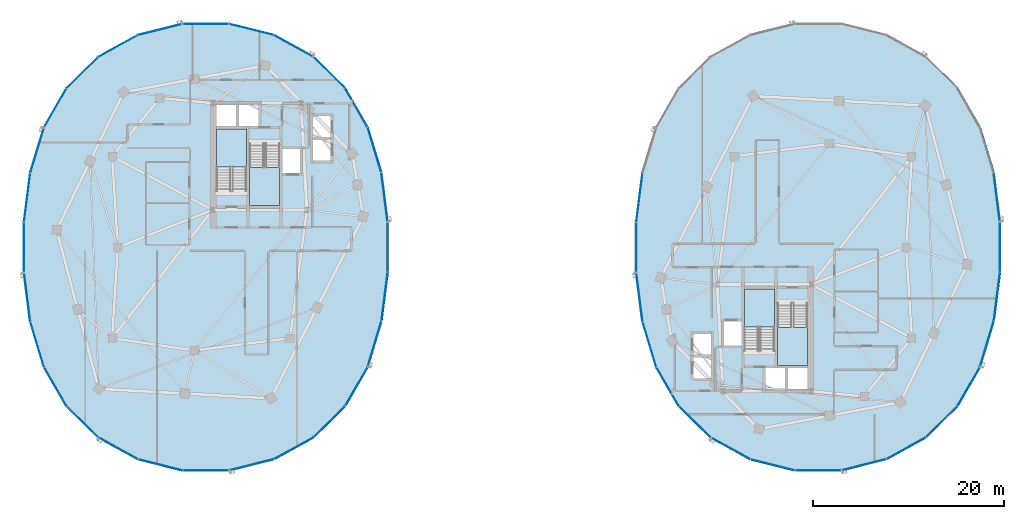
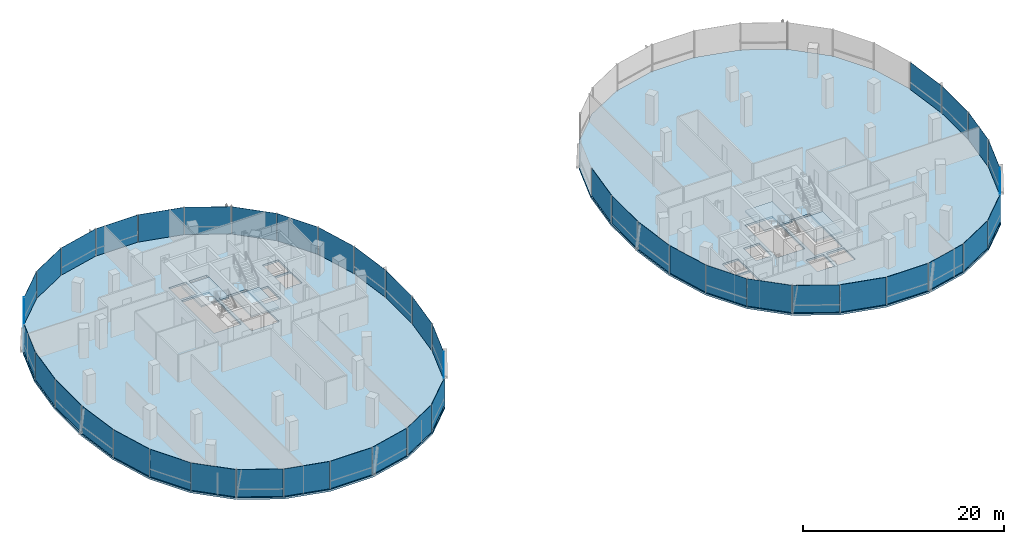
# One storey, part 10 of 22: 45 plates, 6 slabs, 12 elements without a shape of their own.
"""IFC4 building model written with IfcOpenShell, lengths in metres."""

import ifcopenshell
import ifcopenshell.guid

model = None  # the IFC model being written
_history = None  # IfcOwnerHistory: only IFC2X3 demands one
_inside = {}  # id of a spatial element -> (the spatial element, [elements in it])
_under = {}  # id of a project, library or spatial element -> (it, [spatial elements below it])
_declared = {}  # id of a project -> (the project, [libraries it declares])
_typed = {}  # id of a type object -> (the type object, [elements of that type])
_made_of = {}  # id of a material, layer set ... -> (it, [elements and type objects made of it])


def new_model(schema):
    """Start an empty IFC model of exactly this schema.

    Asked for "IFC4X3", IfcOpenShell would pick the latest addendum, in which some entities
    have other attributes; the version numbers below select the first issue.
    IFC2X3 requires an IfcOwnerHistory on every rooted entity: one is made here for all.
    """
    global model, _history
    if schema == "IFC4X3":
        model = ifcopenshell.file(schema_version=(4, 3, 0, 0))
    else:
        model = ifcopenshell.file(schema=schema)
    _inside.clear()
    _under.clear()
    _declared.clear()
    _typed.clear()
    _made_of.clear()
    _history = None
    if model.schema == "IFC2X3":
        org = make("IfcOrganization", Name="unknown")
        user = make(
            "IfcPersonAndOrganization",
            ThePerson=make("IfcPerson", FamilyName="unknown"),
            TheOrganization=org,
        )
        app = make(
            "IfcApplication",
            ApplicationDeveloper=org,
            Version="unknown",
            ApplicationFullName="unknown",
            ApplicationIdentifier="unknown",
        )
        _history = make(
            "IfcOwnerHistory",
            OwningUser=user,
            OwningApplication=app,
            ChangeAction="ADDED",
            CreationDate=0,
        )
    return model


def make(cls, **values):
    """One entity of the class cls with the attributes given. An attribute that is None is left unset."""
    return model.create_entity(
        cls, **{name: value for name, value in values.items() if value is not None}
    )


def rooted(cls, **values):
    """An entity with a GlobalId (a new one), such as an element, a storey or a relation."""
    return make(cls, GlobalId=ifcopenshell.guid.new(), OwnerHistory=_history, **values)


def si_unit(unit_type, name, prefix=None):
    """IfcSIUnit, for example si_unit("LENGTHUNIT", "METRE", prefix="MILLI")."""
    return make("IfcSIUnit", UnitType=unit_type, Prefix=prefix, Name=name)


def assignment(units):
    """IfcUnitAssignment: the units of a project."""
    return None if units is None else make("IfcUnitAssignment", Units=units)


def point(xyz):
    """IfcCartesianPoint."""
    return None if xyz is None else make("IfcCartesianPoint", Coordinates=xyz)


def direction(xyz):
    """IfcDirection."""
    return None if xyz is None else make("IfcDirection", DirectionRatios=xyz)


def frame(location, z_axis=None, x_axis=None):
    """IfcAxis2Placement3D, a coordinate frame: its origin and axes. An axis left out is left unset."""
    return make(
        "IfcAxis2Placement3D",
        Location=point(location),
        Axis=direction(z_axis),
        RefDirection=direction(x_axis),
    )


def frame_2d(location, x_axis=None):
    """IfcAxis2Placement2D, a coordinate frame in the plane: its origin and x axis."""
    return make(
        "IfcAxis2Placement2D", Location=point(location), RefDirection=direction(x_axis)
    )


def origin():
    """The frame at (0, 0, 0) with its axes left unset."""
    return frame((0.0, 0.0, 0.0))


def origin_2d():
    """The frame at (0, 0) in the plane with its x axis left unset."""
    return frame_2d((0.0, 0.0))


def place(relative_to, where):
    """IfcLocalPlacement: puts the frame where relative to a parent placement (None: the world)."""
    return make(
        "IfcLocalPlacement", PlacementRelTo=relative_to, RelativePlacement=where
    )


def context(
    kind, dimensions, precision=None, world=None, true_north=None, identifier=None
):
    """IfcGeometricRepresentationContext, for example the 3D "Model" context."""
    return make(
        "IfcGeometricRepresentationContext",
        ContextIdentifier=identifier,
        ContextType=kind,
        CoordinateSpaceDimension=dimensions,
        Precision=precision,
        WorldCoordinateSystem=world,
        TrueNorth=true_north,
    )


def subcontext(parent, identifier, kind, view, scale=None):
    """IfcGeometricRepresentationSubContext, for example "Body" below "Model"."""
    return make(
        "IfcGeometricRepresentationSubContext",
        ContextIdentifier=identifier,
        ContextType=kind,
        ParentContext=parent,
        TargetScale=scale,
        TargetView=view,
    )


def project(units=None, contexts=None):
    """IfcProject with its units and contexts."""
    return rooted(
        "IfcProject",
        Name="project",
        RepresentationContexts=contexts,
        UnitsInContext=assignment(units),
    )


def spatial(cls, under=None, at=None, **own):
    """A site, building, storey or space (cls), placed at a placement, below another one or the project."""
    s = rooted(cls, ObjectPlacement=at, **own)
    if under is not None:
        _under.setdefault(under.id(), (under, []))[1].append(s)
    return s


def polyline(points):
    """IfcPolyline through the points."""
    return make("IfcPolyline", Points=[point(p) for p in points])


def profile(cls, at=None, kind="AREA", **sizes):
    """A parametric profile (cls). Its sizes go by their IFC names, for example OverallWidth=200.0."""
    return make(cls, ProfileType=kind, Position=at, **sizes)


def rectangle(**sizes):
    """IfcRectangleProfileDef."""
    return profile("IfcRectangleProfileDef", **sizes)


def outline(outer, holes=None, kind="AREA"):
    """IfcArbitraryClosedProfileDef: a profile drawn as a closed curve; with holes, ...WithVoids."""
    if holes is None:
        return make("IfcArbitraryClosedProfileDef", ProfileType=kind, OuterCurve=outer)
    return make(
        "IfcArbitraryProfileDefWithVoids",
        ProfileType=kind,
        OuterCurve=outer,
        InnerCurves=holes,
    )


def extrude(swept, where, along, depth):
    """IfcExtrudedAreaSolid: the profile swept, set in the frame where, extruded along a direction by depth."""
    return make(
        "IfcExtrudedAreaSolid",
        SweptArea=swept,
        Position=where,
        ExtrudedDirection=direction(along),
        Depth=depth,
    )


def shape(context_of_items, identifier, shape_type, items):
    """IfcShapeRepresentation: the items that make up one representation, for example the "Body"."""
    return make(
        "IfcShapeRepresentation",
        ContextOfItems=context_of_items,
        RepresentationIdentifier=identifier,
        RepresentationType=shape_type,
        Items=items,
    )


def material(Name=None, Category=None):
    """IfcMaterial."""
    return make("IfcMaterial", Name=Name, Category=Category)


def layer(
    of_material, thickness, ventilated=None, Name=None, Category=None, Priority=None
):
    """IfcMaterialLayer: one layer of a wall or slab, of a material (None: an air gap)."""
    return make(
        "IfcMaterialLayer",
        Material=of_material,
        LayerThickness=thickness,
        IsVentilated=ventilated,
        Name=Name,
        Category=Category,
        Priority=Priority,
    )


def layer_set(layers, Name=None):
    """IfcMaterialLayerSet."""
    return make("IfcMaterialLayerSet", MaterialLayers=layers, LayerSetName=Name)


def made_of(thing, what):
    """Note that an element or type object is made of a material, layer set ...; save() writes the relation."""
    if what is not None:
        _made_of.setdefault(what.id(), (what, []))[1].append(thing)
    return thing


def type_object(cls, material=None, **own):
    """A type object (cls), such as IfcWallType, which elements share."""
    return made_of(rooted(cls, **own), material)


def element(
    cls,
    number,
    at=None,
    inside=None,
    cuts=None,
    type_object=None,
    material=None,
    context=None,
    identifier="Body",
    shape_type=None,
    held_by="IfcProductDefinitionShape",
    body=None,
    shapes=None,
    **own,
):
    """One element of the class cls, such as IfcWall. Its Tag is "e" and its number.

    at: its placement. inside: the storey or other place that contains it. cuts: it is an
    opening in that element (IfcRelVoidsElement). A single representation is given by context,
    identifier, shape_type and body (its items); several are given by shapes. held_by: the class
    of the entity that holds the representations. save() writes the other relations.
    """
    e = rooted(cls, Tag="e%d" % number, ObjectPlacement=at, **own)
    if body is not None:
        shapes = [shape(context, identifier, shape_type, body)]
    if shapes is not None:
        e.Representation = make(held_by, Representations=shapes)
    if inside is not None:
        _inside.setdefault(inside.id(), (inside, []))[1].append(e)
    if cuts is not None:
        rooted(
            "IfcRelVoidsElement", RelatingBuildingElement=cuts, RelatedOpeningElement=e
        )
    if type_object is not None:
        _typed.setdefault(type_object.id(), (type_object, []))[1].append(e)
    return made_of(e, material)


def aggregate(whole, parts):
    """IfcRelAggregates: a whole, such as a stair, and the parts it consists of."""
    return rooted("IfcRelAggregates", RelatingObject=whole, RelatedObjects=parts)


def save(model, path):
    """Write the relations noted so far, then the file.

    IfcRelAggregates (storeys below a building ...), IfcRelContainedInSpatialStructure (elements
    in a storey), IfcRelDefinesByType, IfcRelAssociatesMaterial and IfcRelDeclares: one each for
    every whole, place, type object, material and project.
    """
    for whole, parts in _under.values():
        aggregate(whole, parts)
    for where, things in _inside.values():
        rooted(
            "IfcRelContainedInSpatialStructure",
            RelatedElements=things,
            RelatingStructure=where,
        )
    for kind, things in _typed.values():
        rooted("IfcRelDefinesByType", RelatedObjects=things, RelatingType=kind)
    for what, things in _made_of.values():
        rooted("IfcRelAssociatesMaterial", RelatedObjects=things, RelatingMaterial=what)
    for by, libraries in _declared.values():
        rooted("IfcRelDeclares", RelatingContext=by, RelatedDefinitions=libraries)
    model.write(path)


model = new_model("IFC4")

# Units and contexts
model_context = context("Model", 3, precision=1e-05, world=origin(), true_north=direction((0.0, 1.0)))
body_context = subcontext(model_context, "Body", "Model", "MODEL_VIEW")
ifc_project = project(units=[si_unit("LENGTHUNIT", "METRE"), si_unit("AREAUNIT", "SQUARE_METRE"), si_unit("VOLUMEUNIT", "CUBIC_METRE"), si_unit("PLANEANGLEUNIT", "RADIAN"), si_unit("MASSUNIT", "GRAM", prefix="KILO"), si_unit("THERMODYNAMICTEMPERATUREUNIT", "KELVIN"), si_unit("POWERUNIT", "WATT")], contexts=[model_context])

# Site, building, storey
site_placement = place(None, origin())
site = spatial("IfcSite", under=ifc_project, at=site_placement, CompositionType="ELEMENT")
building_placement = place(site_placement, origin())
building = spatial("IfcBuilding", under=site, at=building_placement, Name="Cundina Bronze Exchange", CompositionType="ELEMENT")
storey_placement = place(building_placement, frame((0.0, 0.0, 136.800048828125)))
storey = spatial("IfcBuildingStorey", under=building, at=storey_placement, Name="L35", CompositionType="ELEMENT", Elevation=136.800048828125)

# Curtain wall, plates
ifc_material_1 = material(Name="Anodised Bronze Aluminium 6063-T6", Category="aluminium")
curtain_wall_type = type_object("IfcCurtainWallType", Name="CWS-WST-PIN", PredefinedType="NOTDEFINED", material=ifc_material_1)
curtain_wall_1_placement = place(storey_placement, origin())
curtain_wall_1 = element("IfcCurtainWall", 1, at=curtain_wall_1_placement, inside=storey, type_object=curtain_wall_type, Name="L35 CW-04 Curtain Wall Run CWR-L35-W1", PredefinedType="NOTDEFINED")
ifc_material_2 = material(Name="Heat-Strengthened Solar-Control Bronze Safety Glass 28mm", Category="glass")
ifc_layer_1 = layer(ifc_material_2, 0.028076171875, Name="Heat-Strengthened Solar-Control Bronze Safety Glass 28mm", Category="glass")
ifc_layer_set_1 = layer_set([ifc_layer_1], Name="Heat-Strengthened Solar-Control Bronze Safety Glass 28mm")
plate_type_1 = type_object("IfcPlateType", Name="PLT-GLZ-VIS28", PredefinedType="CURTAIN_PANEL", material=ifc_layer_set_1)
plate_1_placement = place(storey_placement, frame((-13.320556640625, 5.2041015625, 0.02001953125), z_axis=(0.0, 0.0, 1.0), x_axis=(-0.126475984253, 0.9919696696, 0.0)))
plate_1 = element("IfcPlate", 2, at=plate_1_placement, type_object=plate_type_1, Name="CW-04 Glazed Panel 1", PredefinedType="CURTAIN_PANEL", context=body_context, shape_type="SweptSolid", body=[
    extrude(rectangle(XDim=5.104736328125, YDim=0.028076171875, at=origin_2d()), origin(), (0.0, 0.0, 1.0), 3.320068359375),
])
plate_2_placement = place(storey_placement, frame((-14.36669921875, 10.14208984375, 0.02001953125), z_axis=(0.0, 0.0, 1.0), x_axis=(-0.290050843957, 0.957011237092, 0.0)))
plate_2 = element("IfcPlate", 3, at=plate_2_placement, type_object=plate_type_1, Name="CW-04 Glazed Panel 2", PredefinedType="CURTAIN_PANEL", context=body_context, shape_type="SweptSolid", body=[
    extrude(rectangle(XDim=4.885009765625, YDim=0.028076171875, at=origin_2d()), origin(), (0.0, 0.0, 1.0), 3.320068359375),
])
plate_3_placement = place(storey_placement, frame((-16.265625, 14.564697265625, 0.02001953125), z_axis=(0.0, 0.0, 1.0), x_axis=(-0.498487739754, 0.866896748936, 0.0)))
plate_3 = element("IfcPlate", 4, at=plate_3_placement, type_object=plate_type_1, Name="CW-04 Glazed Panel 3", PredefinedType="CURTAIN_PANEL", context=body_context, shape_type="SweptSolid", body=[
    extrude(rectangle(XDim=4.676513671875, YDim=0.028076171875, at=origin_2d()), origin(), (0.0, 0.0, 1.0), 3.320068359375),
])
plate_4_placement = place(storey_placement, frame((-19.105224609375, 18.253662109375, 0.02001953125), z_axis=(0.0, 0.0, 1.0), x_axis=(-0.711989280367, 0.702190333629, 0.0)))
plate_4 = element("IfcPlate", 5, at=plate_4_placement, type_object=plate_type_1, Name="CW-04 Glazed Panel 4", PredefinedType="CURTAIN_PANEL", context=body_context, shape_type="SweptSolid", body=[
    extrude(rectangle(XDim=4.6025390625, YDim=0.028076171875, at=origin_2d()), origin(), (0.0, 0.0, 1.0), 3.320068359375),
])
plate_5_placement = place(storey_placement, frame((-27.23486328125, 22.75244140625, 0.02001953125), z_axis=(0.0, 0.0, 1.0), x_axis=(-0.970092713791, 0.242734683656, 0.0)))
plate_5 = element("IfcPlate", 6, at=plate_5_placement, type_object=plate_type_1, Name="CW-04 Glazed Panel 6", PredefinedType="CURTAIN_PANEL", context=body_context, shape_type="SweptSolid", body=[
    extrude(rectangle(XDim=4.7548828125, YDim=0.028076171875, at=origin_2d()), origin(), (0.0, 0.0, 1.0), 3.320068359375),
])
plate_6_placement = place(storey_placement, frame((-32.0, 23.3369140625, 0.02001953125), z_axis=(0.0, 0.0, 1.0), x_axis=(-1.0, 0.0, 0.0)))
plate_6 = element("IfcPlate", 7, at=plate_6_placement, type_object=plate_type_1, Name="CW-04 Glazed Panel 7", PredefinedType="CURTAIN_PANEL", context=body_context, shape_type="SweptSolid", body=[
    extrude(rectangle(XDim=4.7958984375, YDim=0.028076171875, at=origin_2d()), origin(), (0.0, 0.0, 1.0), 3.320068359375),
])

curtain_wall_2_placement = place(storey_placement, origin())
curtain_wall_2 = element("IfcCurtainWall", 8, at=curtain_wall_2_placement, inside=storey, type_object=curtain_wall_type, Name="L35 CW-04 Curtain Wall Run CWR-L35-W2", PredefinedType="NOTDEFINED")
plate_7_placement = place(storey_placement, frame((-36.76513671875, 22.75244140625, 0.02001953125), z_axis=(0.0, 0.0, 1.0), x_axis=(-0.970092713791, -0.242734683656, 0.0)))
plate_7 = element("IfcPlate", 9, at=plate_7_placement, type_object=plate_type_1, Name="CW-04 Glazed Panel 1", PredefinedType="CURTAIN_PANEL", context=body_context, shape_type="SweptSolid", body=[
    extrude(rectangle(XDim=4.7548828125, YDim=0.028076171875, at=origin_2d()), origin(), (0.0, 0.0, 1.0), 3.320068359375),
])
plate_8_placement = place(storey_placement, frame((-41.16845703125, 21.02880859375, 0.02001953125), z_axis=(0.0, 0.0, 1.0), x_axis=(-0.875869093438, -0.482548786301, 0.0)))
plate_8 = element("IfcPlate", 10, at=plate_8_placement, type_object=plate_type_1, Name="CW-04 Glazed Panel 2", PredefinedType="CURTAIN_PANEL", context=body_context, shape_type="SweptSolid", body=[
    extrude(rectangle(XDim=4.661865234375, YDim=0.028076171875, at=origin_2d()), origin(), (0.0, 0.0, 1.0), 3.320068359375),
])
plate_9_placement = place(storey_placement, frame((-44.894775390625, 18.253662109375, 0.02001953125), z_axis=(0.0, 0.0, 1.0), x_axis=(-0.711989280367, -0.702190333629, 0.0)))
plate_9 = element("IfcPlate", 11, at=plate_9_placement, type_object=plate_type_1, Name="CW-04 Glazed Panel 3", PredefinedType="CURTAIN_PANEL", context=body_context, shape_type="SweptSolid", body=[
    extrude(rectangle(XDim=4.6025390625, YDim=0.028076171875, at=origin_2d()), origin(), (0.0, 0.0, 1.0), 3.320068359375),
])
plate_10_placement = place(storey_placement, frame((-49.63330078125, 10.14208984375, 0.02001953125), z_axis=(0.0, 0.0, 1.0), x_axis=(-0.290050843957, -0.957011237092, 0.0)))
plate_10 = element("IfcPlate", 12, at=plate_10_placement, type_object=plate_type_1, Name="CW-04 Glazed Panel 5", PredefinedType="CURTAIN_PANEL", context=body_context, shape_type="SweptSolid", body=[
    extrude(rectangle(XDim=4.885009765625, YDim=0.028076171875, at=origin_2d()), origin(), (0.0, 0.0, 1.0), 3.320068359375),
])
plate_11_placement = place(storey_placement, frame((-50.679443359375, 5.2041015625, 0.02001953125), z_axis=(0.0, 0.0, 1.0), x_axis=(-0.126475984253, -0.9919696696, 0.0)))
plate_11 = element("IfcPlate", 13, at=plate_11_placement, type_object=plate_type_1, Name="CW-04 Glazed Panel 6", PredefinedType="CURTAIN_PANEL", context=body_context, shape_type="SweptSolid", body=[
    extrude(rectangle(XDim=5.104736328125, YDim=0.028076171875, at=origin_2d()), origin(), (0.0, 0.0, 1.0), 3.320068359375),
])
plate_12_placement = place(storey_placement, frame((-51.007080078125, 0.0, 0.02001953125), z_axis=(0.0, 0.0, 1.0), x_axis=(0.0, -1.0, 0.0)))
plate_12 = element("IfcPlate", 14, at=plate_12_placement, type_object=plate_type_1, Name="CW-04 Glazed Panel 7", PredefinedType="CURTAIN_PANEL", context=body_context, shape_type="SweptSolid", body=[
    extrude(rectangle(XDim=5.194091796875, YDim=0.028076171875, at=origin_2d()), origin(), (0.0, 0.0, 1.0), 3.320068359375),
])

curtain_wall_3_placement = place(storey_placement, origin())
curtain_wall_3 = element("IfcCurtainWall", 15, at=curtain_wall_3_placement, inside=storey, type_object=curtain_wall_type, Name="L35 CW-04 Curtain Wall Run CWR-L35-W3", PredefinedType="NOTDEFINED")
plate_13_placement = place(storey_placement, frame((-50.679443359375, -5.2041015625, 0.02001953125), z_axis=(0.0, 0.0, 1.0), x_axis=(0.126475984253, -0.9919696696, 0.0)))
plate_13 = element("IfcPlate", 16, at=plate_13_placement, type_object=plate_type_1, Name="CW-04 Glazed Panel 1", PredefinedType="CURTAIN_PANEL", context=body_context, shape_type="SweptSolid", body=[
    extrude(rectangle(XDim=5.104736328125, YDim=0.028076171875, at=origin_2d()), origin(), (0.0, 0.0, 1.0), 3.320068359375),
])
plate_14_placement = place(storey_placement, frame((-49.63330078125, -10.14208984375, 0.02001953125), z_axis=(0.0, 0.0, 1.0), x_axis=(0.290050843957, -0.957011237092, 0.0)))
plate_14 = element("IfcPlate", 17, at=plate_14_placement, type_object=plate_type_1, Name="CW-04 Glazed Panel 2", PredefinedType="CURTAIN_PANEL", context=body_context, shape_type="SweptSolid", body=[
    extrude(rectangle(XDim=4.885009765625, YDim=0.028076171875, at=origin_2d()), origin(), (0.0, 0.0, 1.0), 3.320068359375),
])
plate_15_placement = place(storey_placement, frame((-44.894775390625, -18.253662109375, 0.02001953125), z_axis=(0.0, 0.0, 1.0), x_axis=(0.711989280367, -0.702190333629, 0.0)))
plate_15 = element("IfcPlate", 18, at=plate_15_placement, type_object=plate_type_1, Name="CW-04 Glazed Panel 4", PredefinedType="CURTAIN_PANEL", context=body_context, shape_type="SweptSolid", body=[
    extrude(rectangle(XDim=4.6025390625, YDim=0.028076171875, at=origin_2d()), origin(), (0.0, 0.0, 1.0), 3.320068359375),
])
plate_16_placement = place(storey_placement, frame((-41.16845703125, -21.02880859375, 0.02001953125), z_axis=(0.0, 0.0, 1.0), x_axis=(0.875869093438, -0.482548786301, 0.0)))
plate_16 = element("IfcPlate", 19, at=plate_16_placement, type_object=plate_type_1, Name="CW-04 Glazed Panel 5", PredefinedType="CURTAIN_PANEL", context=body_context, shape_type="SweptSolid", body=[
    extrude(rectangle(XDim=4.661865234375, YDim=0.028076171875, at=origin_2d()), origin(), (0.0, 0.0, 1.0), 3.320068359375),
])
plate_17_placement = place(storey_placement, frame((-36.76513671875, -22.75244140625, 0.02001953125), z_axis=(0.0, 0.0, 1.0), x_axis=(0.970092713791, -0.242734683656, 0.0)))
plate_17 = element("IfcPlate", 20, at=plate_17_placement, type_object=plate_type_1, Name="CW-04 Glazed Panel 6", PredefinedType="CURTAIN_PANEL", context=body_context, shape_type="SweptSolid", body=[
    extrude(rectangle(XDim=4.7548828125, YDim=0.028076171875, at=origin_2d()), origin(), (0.0, 0.0, 1.0), 3.320068359375),
])
plate_18_placement = place(storey_placement, frame((-32.0, -23.3369140625, 0.02001953125), z_axis=(0.0, 0.0, 1.0), x_axis=(1.0, 0.0, 0.0)))
plate_18 = element("IfcPlate", 21, at=plate_18_placement, type_object=plate_type_1, Name="CW-04 Glazed Panel 7", PredefinedType="CURTAIN_PANEL", context=body_context, shape_type="SweptSolid", body=[
    extrude(rectangle(XDim=4.7958984375, YDim=0.028076171875, at=origin_2d()), origin(), (0.0, 0.0, 1.0), 3.320068359375),
])

curtain_wall_4_placement = place(storey_placement, origin())
curtain_wall_4 = element("IfcCurtainWall", 22, at=curtain_wall_4_placement, inside=storey, type_object=curtain_wall_type, Name="L35 CW-04 Curtain Wall Run CWR-L35-W4", PredefinedType="NOTDEFINED")
plate_19_placement = place(storey_placement, frame((-27.23486328125, -22.75244140625, 0.02001953125), z_axis=(0.0, 0.0, 1.0), x_axis=(0.970092713791, 0.242734683656, 0.0)))
plate_19 = element("IfcPlate", 23, at=plate_19_placement, type_object=plate_type_1, Name="CW-04 Glazed Panel 1", PredefinedType="CURTAIN_PANEL", context=body_context, shape_type="SweptSolid", body=[
    extrude(rectangle(XDim=4.7548828125, YDim=0.028076171875, at=origin_2d()), origin(), (0.0, 0.0, 1.0), 3.320068359375),
])
plate_20_placement = place(storey_placement, frame((-19.105224609375, -18.253662109375, 0.02001953125), z_axis=(0.0, 0.0, 1.0), x_axis=(0.711989280367, 0.702190333629, 0.0)))
plate_20 = element("IfcPlate", 24, at=plate_20_placement, type_object=plate_type_1, Name="CW-04 Glazed Panel 3", PredefinedType="CURTAIN_PANEL", context=body_context, shape_type="SweptSolid", body=[
    extrude(rectangle(XDim=4.6025390625, YDim=0.028076171875, at=origin_2d()), origin(), (0.0, 0.0, 1.0), 3.320068359375),
])
plate_21_placement = place(storey_placement, frame((-16.265625, -14.564697265625, 0.02001953125), z_axis=(0.0, 0.0, 1.0), x_axis=(0.498487739754, 0.866896748936, 0.0)))
plate_21 = element("IfcPlate", 25, at=plate_21_placement, type_object=plate_type_1, Name="CW-04 Glazed Panel 4", PredefinedType="CURTAIN_PANEL", context=body_context, shape_type="SweptSolid", body=[
    extrude(rectangle(XDim=4.676513671875, YDim=0.028076171875, at=origin_2d()), origin(), (0.0, 0.0, 1.0), 3.320068359375),
])
plate_22_placement = place(storey_placement, frame((-14.36669921875, -10.14208984375, 0.02001953125), z_axis=(0.0, 0.0, 1.0), x_axis=(0.290050843957, 0.957011237092, 0.0)))
plate_22 = element("IfcPlate", 26, at=plate_22_placement, type_object=plate_type_1, Name="CW-04 Glazed Panel 5", PredefinedType="CURTAIN_PANEL", context=body_context, shape_type="SweptSolid", body=[
    extrude(rectangle(XDim=4.885009765625, YDim=0.028076171875, at=origin_2d()), origin(), (0.0, 0.0, 1.0), 3.320068359375),
])
plate_23_placement = place(storey_placement, frame((-13.320556640625, -5.2041015625, 0.02001953125), z_axis=(0.0, 0.0, 1.0), x_axis=(0.126475984253, 0.9919696696, 0.0)))
plate_23 = element("IfcPlate", 27, at=plate_23_placement, type_object=plate_type_1, Name="CW-04 Glazed Panel 6", PredefinedType="CURTAIN_PANEL", context=body_context, shape_type="SweptSolid", body=[
    extrude(rectangle(XDim=5.104736328125, YDim=0.028076171875, at=origin_2d()), origin(), (0.0, 0.0, 1.0), 3.320068359375),
])

# Curtain wall, plate
curtain_wall_5_placement = place(storey_placement, origin())
curtain_wall_5 = element("IfcCurtainWall", 28, at=curtain_wall_5_placement, inside=storey, type_object=curtain_wall_type, Name="L35 CW-04 Curtain Wall Run CWR-L35-E1", PredefinedType="NOTDEFINED")
plate_24_placement = place(storey_placement, frame((50.679443359375, 5.2041015625, 0.02001953125), z_axis=(0.0, 0.0, 1.0), x_axis=(-0.126475984253, 0.9919696696, 0.0)))
plate_24 = element("IfcPlate", 29, at=plate_24_placement, type_object=plate_type_1, Name="CW-04 Glazed Panel 1", PredefinedType="CURTAIN_PANEL", context=body_context, shape_type="SweptSolid", body=[
    extrude(rectangle(XDim=5.104736328125, YDim=0.028076171875, at=origin_2d()), origin(), (0.0, 0.0, 1.0), 3.320068359375),
])
aggregate(curtain_wall_5, [plate_24])

# Curtain wall, plates
curtain_wall_6_placement = place(storey_placement, origin())
curtain_wall_6 = element("IfcCurtainWall", 30, at=curtain_wall_6_placement, inside=storey, type_object=curtain_wall_type, Name="L35 CW-04 Curtain Wall Run CWR-L35-E2", PredefinedType="NOTDEFINED")
plate_25_placement = place(storey_placement, frame((13.320556640625, 5.2041015625, 0.02001953125), z_axis=(0.0, 0.0, 1.0), x_axis=(-0.126475984253, -0.9919696696, 0.0)))
plate_25 = element("IfcPlate", 31, at=plate_25_placement, type_object=plate_type_1, Name="CW-04 Glazed Panel 6", PredefinedType="CURTAIN_PANEL", context=body_context, shape_type="SweptSolid", body=[
    extrude(rectangle(XDim=5.104736328125, YDim=0.028076171875, at=origin_2d()), origin(), (0.0, 0.0, 1.0), 3.320068359375),
])
plate_26_placement = place(storey_placement, frame((12.992919921875, 0.0, 0.02001953125), z_axis=(0.0, 0.0, 1.0), x_axis=(0.0, -1.0, 0.0)))
plate_26 = element("IfcPlate", 32, at=plate_26_placement, type_object=plate_type_1, Name="CW-04 Glazed Panel 7", PredefinedType="CURTAIN_PANEL", context=body_context, shape_type="SweptSolid", body=[
    extrude(rectangle(XDim=5.194091796875, YDim=0.028076171875, at=origin_2d()), origin(), (0.0, 0.0, 1.0), 3.320068359375),
])
aggregate(curtain_wall_6, [plate_25, plate_26])

curtain_wall_7_placement = place(storey_placement, origin())
curtain_wall_7 = element("IfcCurtainWall", 33, at=curtain_wall_7_placement, inside=storey, type_object=curtain_wall_type, Name="L35 CW-04 Curtain Wall Run CWR-L35-E3", PredefinedType="NOTDEFINED")
plate_27_placement = place(storey_placement, frame((13.320556640625, -5.2041015625, 0.02001953125), z_axis=(0.0, 0.0, 1.0), x_axis=(0.126475984253, -0.9919696696, 0.0)))
plate_27 = element("IfcPlate", 34, at=plate_27_placement, type_object=plate_type_1, Name="CW-04 Glazed Panel 1", PredefinedType="CURTAIN_PANEL", context=body_context, shape_type="SweptSolid", body=[
    extrude(rectangle(XDim=5.104736328125, YDim=0.028076171875, at=origin_2d()), origin(), (0.0, 0.0, 1.0), 3.320068359375),
])
plate_28_placement = place(storey_placement, frame((14.36669921875, -10.14208984375, 0.02001953125), z_axis=(0.0, 0.0, 1.0), x_axis=(0.290050843957, -0.957011237092, 0.0)))
plate_28 = element("IfcPlate", 35, at=plate_28_placement, type_object=plate_type_1, Name="CW-04 Glazed Panel 2", PredefinedType="CURTAIN_PANEL", context=body_context, shape_type="SweptSolid", body=[
    extrude(rectangle(XDim=4.885009765625, YDim=0.028076171875, at=origin_2d()), origin(), (0.0, 0.0, 1.0), 3.320068359375),
])
plate_29_placement = place(storey_placement, frame((19.105224609375, -18.253662109375, 0.02001953125), z_axis=(0.0, 0.0, 1.0), x_axis=(0.711989280367, -0.702190333629, 0.0)))
plate_29 = element("IfcPlate", 36, at=plate_29_placement, type_object=plate_type_1, Name="CW-04 Glazed Panel 4", PredefinedType="CURTAIN_PANEL", context=body_context, shape_type="SweptSolid", body=[
    extrude(rectangle(XDim=4.6025390625, YDim=0.028076171875, at=origin_2d()), origin(), (0.0, 0.0, 1.0), 3.320068359375),
])
plate_30_placement = place(storey_placement, frame((22.83154296875, -21.02880859375, 0.02001953125), z_axis=(0.0, 0.0, 1.0), x_axis=(0.875869093438, -0.482548786301, 0.0)))
plate_30 = element("IfcPlate", 37, at=plate_30_placement, type_object=plate_type_1, Name="CW-04 Glazed Panel 5", PredefinedType="CURTAIN_PANEL", context=body_context, shape_type="SweptSolid", body=[
    extrude(rectangle(XDim=4.661865234375, YDim=0.028076171875, at=origin_2d()), origin(), (0.0, 0.0, 1.0), 3.320068359375),
])
plate_31_placement = place(storey_placement, frame((27.23486328125, -22.75244140625, 0.02001953125), z_axis=(0.0, 0.0, 1.0), x_axis=(0.970092713791, -0.242734683656, 0.0)))
plate_31 = element("IfcPlate", 38, at=plate_31_placement, type_object=plate_type_1, Name="CW-04 Glazed Panel 6", PredefinedType="CURTAIN_PANEL", context=body_context, shape_type="SweptSolid", body=[
    extrude(rectangle(XDim=4.7548828125, YDim=0.028076171875, at=origin_2d()), origin(), (0.0, 0.0, 1.0), 3.320068359375),
])
plate_32_placement = place(storey_placement, frame((32.0, -23.3369140625, 0.02001953125), z_axis=(0.0, 0.0, 1.0), x_axis=(1.0, 0.0, 0.0)))
plate_32 = element("IfcPlate", 39, at=plate_32_placement, type_object=plate_type_1, Name="CW-04 Glazed Panel 7", PredefinedType="CURTAIN_PANEL", context=body_context, shape_type="SweptSolid", body=[
    extrude(rectangle(XDim=4.7958984375, YDim=0.028076171875, at=origin_2d()), origin(), (0.0, 0.0, 1.0), 3.320068359375),
])

curtain_wall_8_placement = place(storey_placement, origin())
curtain_wall_8 = element("IfcCurtainWall", 40, at=curtain_wall_8_placement, inside=storey, type_object=curtain_wall_type, Name="L35 CW-04 Curtain Wall Run CWR-L35-E4", PredefinedType="NOTDEFINED")
plate_33_placement = place(storey_placement, frame((36.76513671875, -22.75244140625, 0.02001953125), z_axis=(0.0, 0.0, 1.0), x_axis=(0.970092713791, 0.242734683656, 0.0)))
plate_33 = element("IfcPlate", 41, at=plate_33_placement, type_object=plate_type_1, Name="CW-04 Glazed Panel 1", PredefinedType="CURTAIN_PANEL", context=body_context, shape_type="SweptSolid", body=[
    extrude(rectangle(XDim=4.7548828125, YDim=0.028076171875, at=origin_2d()), origin(), (0.0, 0.0, 1.0), 3.320068359375),
])
plate_34_placement = place(storey_placement, frame((44.894775390625, -18.253662109375, 0.02001953125), z_axis=(0.0, 0.0, 1.0), x_axis=(0.711989280367, 0.702190333629, 0.0)))
plate_34 = element("IfcPlate", 42, at=plate_34_placement, type_object=plate_type_1, Name="CW-04 Glazed Panel 3", PredefinedType="CURTAIN_PANEL", context=body_context, shape_type="SweptSolid", body=[
    extrude(rectangle(XDim=4.6025390625, YDim=0.028076171875, at=origin_2d()), origin(), (0.0, 0.0, 1.0), 3.320068359375),
])
plate_35_placement = place(storey_placement, frame((47.734375, -14.564697265625, 0.02001953125), z_axis=(0.0, 0.0, 1.0), x_axis=(0.498487739754, 0.866896748936, 0.0)))
plate_35 = element("IfcPlate", 43, at=plate_35_placement, type_object=plate_type_1, Name="CW-04 Glazed Panel 4", PredefinedType="CURTAIN_PANEL", context=body_context, shape_type="SweptSolid", body=[
    extrude(rectangle(XDim=4.676513671875, YDim=0.028076171875, at=origin_2d()), origin(), (0.0, 0.0, 1.0), 3.320068359375),
])
plate_36_placement = place(storey_placement, frame((49.63330078125, -10.14208984375, 0.02001953125), z_axis=(0.0, 0.0, 1.0), x_axis=(0.290050843957, 0.957011237092, 0.0)))
plate_36 = element("IfcPlate", 44, at=plate_36_placement, type_object=plate_type_1, Name="CW-04 Glazed Panel 5", PredefinedType="CURTAIN_PANEL", context=body_context, shape_type="SweptSolid", body=[
    extrude(rectangle(XDim=4.885009765625, YDim=0.028076171875, at=origin_2d()), origin(), (0.0, 0.0, 1.0), 3.320068359375),
])
plate_37_placement = place(storey_placement, frame((50.679443359375, -5.2041015625, 0.02001953125), z_axis=(0.0, 0.0, 1.0), x_axis=(0.126475984253, 0.9919696696, 0.0)))
plate_37 = element("IfcPlate", 45, at=plate_37_placement, type_object=plate_type_1, Name="CW-04 Glazed Panel 6", PredefinedType="CURTAIN_PANEL", context=body_context, shape_type="SweptSolid", body=[
    extrude(rectangle(XDim=5.104736328125, YDim=0.028076171875, at=origin_2d()), origin(), (0.0, 0.0, 1.0), 3.320068359375),
])

# Plate
ifc_material_3 = material(Name="Dark Bronze Spandrel Glass Panel 32mm", Category="glass")
ifc_layer_2 = layer(ifc_material_3, 0.031982421875, Name="Dark Bronze Spandrel Glass Panel 32mm", Category="glass")
ifc_layer_set_2 = layer_set([ifc_layer_2], Name="Dark Bronze Spandrel Glass Panel 32mm")
plate_type_2 = type_object("IfcPlateType", Name="PLT-SPN-BRZ32", PredefinedType="CURTAIN_PANEL", material=ifc_layer_set_2)
plate_38_placement = place(storey_placement, frame((-22.83154296875, 21.02880859375, 0.02001953125), z_axis=(0.0, 0.0, 1.0), x_axis=(-0.875869093438, 0.482548786301, 0.0)))
plate_38 = element("IfcPlate", 46, at=plate_38_placement, type_object=plate_type_2, Name="CW-04 Glazed Panel 5", PredefinedType="CURTAIN_PANEL", context=body_context, shape_type="SweptSolid", body=[
    extrude(rectangle(XDim=4.661865234375, YDim=0.031982421875, at=origin_2d()), origin(), (0.0, 0.0, 1.0), 3.320068359375),
])

aggregate(curtain_wall_1, [plate_1, plate_2, plate_3, plate_4, plate_38, plate_5, plate_6])

plate_39_placement = place(storey_placement, frame((-47.734375, 14.564697265625, 0.02001953125), z_axis=(0.0, 0.0, 1.0), x_axis=(-0.498487739754, -0.866896748936, 0.0)))
plate_39 = element("IfcPlate", 47, at=plate_39_placement, type_object=plate_type_2, Name="CW-04 Glazed Panel 4", PredefinedType="CURTAIN_PANEL", context=body_context, shape_type="SweptSolid", body=[
    extrude(rectangle(XDim=4.676513671875, YDim=0.031982421875, at=origin_2d()), origin(), (0.0, 0.0, 1.0), 3.320068359375),
])

aggregate(curtain_wall_2, [plate_7, plate_8, plate_9, plate_39, plate_10, plate_11, plate_12])

plate_40_placement = place(storey_placement, frame((-47.734375, -14.564697265625, 0.02001953125), z_axis=(0.0, 0.0, 1.0), x_axis=(0.498487739754, -0.866896748936, 0.0)))
plate_40 = element("IfcPlate", 48, at=plate_40_placement, type_object=plate_type_2, Name="CW-04 Glazed Panel 3", PredefinedType="CURTAIN_PANEL", context=body_context, shape_type="SweptSolid", body=[
    extrude(rectangle(XDim=4.676513671875, YDim=0.031982421875, at=origin_2d()), origin(), (0.0, 0.0, 1.0), 3.320068359375),
])

aggregate(curtain_wall_3, [plate_13, plate_14, plate_40, plate_15, plate_16, plate_17, plate_18])

plate_41_placement = place(storey_placement, frame((-22.83154296875, -21.02880859375, 0.02001953125), z_axis=(0.0, 0.0, 1.0), x_axis=(0.875869093438, 0.482548786301, 0.0)))
plate_41 = element("IfcPlate", 49, at=plate_41_placement, type_object=plate_type_2, Name="CW-04 Glazed Panel 2", PredefinedType="CURTAIN_PANEL", context=body_context, shape_type="SweptSolid", body=[
    extrude(rectangle(XDim=4.661865234375, YDim=0.031982421875, at=origin_2d()), origin(), (0.0, 0.0, 1.0), 3.320068359375),
])

plate_42_placement = place(storey_placement, frame((-12.992919921875, 0.0, 0.02001953125), z_axis=(0.0, 0.0, 1.0), x_axis=(0.0, 1.0, 0.0)))
plate_42 = element("IfcPlate", 50, at=plate_42_placement, type_object=plate_type_2, Name="CW-04 Glazed Panel 7", PredefinedType="CURTAIN_PANEL", context=body_context, shape_type="SweptSolid", body=[
    extrude(rectangle(XDim=5.194091796875, YDim=0.031982421875, at=origin_2d()), origin(), (0.0, 0.0, 1.0), 3.320068359375),
])

aggregate(curtain_wall_4, [plate_19, plate_41, plate_20, plate_21, plate_22, plate_23, plate_42])

plate_43_placement = place(storey_placement, frame((16.265625, -14.564697265625, 0.02001953125), z_axis=(0.0, 0.0, 1.0), x_axis=(0.498487739754, -0.866896748936, 0.0)))
plate_43 = element("IfcPlate", 51, at=plate_43_placement, type_object=plate_type_2, Name="CW-04 Glazed Panel 3", PredefinedType="CURTAIN_PANEL", context=body_context, shape_type="SweptSolid", body=[
    extrude(rectangle(XDim=4.676513671875, YDim=0.031982421875, at=origin_2d()), origin(), (0.0, 0.0, 1.0), 3.320068359375),
])

aggregate(curtain_wall_7, [plate_27, plate_28, plate_43, plate_29, plate_30, plate_31, plate_32])

plate_44_placement = place(storey_placement, frame((41.16845703125, -21.02880859375, 0.02001953125), z_axis=(0.0, 0.0, 1.0), x_axis=(0.875869093438, 0.482548786301, 0.0)))
plate_44 = element("IfcPlate", 52, at=plate_44_placement, type_object=plate_type_2, Name="CW-04 Glazed Panel 2", PredefinedType="CURTAIN_PANEL", context=body_context, shape_type="SweptSolid", body=[
    extrude(rectangle(XDim=4.661865234375, YDim=0.031982421875, at=origin_2d()), origin(), (0.0, 0.0, 1.0), 3.320068359375),
])

plate_45_placement = place(storey_placement, frame((51.007080078125, 0.0, 0.02001953125), z_axis=(0.0, 0.0, 1.0), x_axis=(0.0, 1.0, 0.0)))
plate_45 = element("IfcPlate", 53, at=plate_45_placement, type_object=plate_type_2, Name="CW-04 Glazed Panel 7", PredefinedType="CURTAIN_PANEL", context=body_context, shape_type="SweptSolid", body=[
    extrude(rectangle(XDim=5.194091796875, YDim=0.031982421875, at=origin_2d()), origin(), (0.0, 0.0, 1.0), 3.320068359375),
])

aggregate(curtain_wall_8, [plate_33, plate_44, plate_34, plate_35, plate_36, plate_37, plate_45])

# Stair, slab
ifc_material_4 = material(Name="Concrete C40/50", Category="concrete")
stair_type = type_object("IfcStairType", Name="STR-OFF-360", PredefinedType="HALF_TURN_STAIR", material=ifc_material_4)
stair_1_placement = place(storey_placement, origin())
stair_1 = element("IfcStair", 54, at=stair_1_placement, inside=storey, type_object=stair_type, Name="L35 Smokeproof Exit Stair W1", PredefinedType="HALF_TURN_STAIR")
ifc_layer_3 = layer(ifc_material_4, 0.199951171875, Name="Concrete C40/50", Category="concrete")
ifc_layer_set_3 = layer_set([ifc_layer_3], Name="Concrete C40/50")
slab_type_1 = type_object("IfcSlabType", Name="SLB-LND-200", PredefinedType="LANDING", material=ifc_layer_set_3)
slab_1_placement = place(storey_placement, frame((0.0, 0.0, 1.599853515625)))
slab_1 = element("IfcSlab", 55, at=slab_1_placement, type_object=slab_type_1, Name="ST-W1 landing 1", PredefinedType="LANDING", context=body_context, shape_type="SweptSolid", body=[
    extrude(outline(polyline([(-27.739990234375, 8.3701171875), (-27.739990234375, 12.35009765625), (-30.89990234375, 12.35009765625), (-30.89990234375, 8.3701171875), (-27.739990234375, 8.3701171875)])), origin(), (0.0, 0.0, 1.0), 0.2001953125),
])
aggregate(stair_1, [slab_1])

stair_2_placement = place(storey_placement, origin())
stair_2 = element("IfcStair", 56, at=stair_2_placement, inside=storey, type_object=stair_type, Name="L35 Smokeproof Exit Stair W2", PredefinedType="HALF_TURN_STAIR")
slab_2_placement = place(storey_placement, frame((0.0, 0.0, 1.599853515625)))
slab_2 = element("IfcSlab", 57, at=slab_2_placement, type_object=slab_type_1, Name="ST-W2 landing 1", PredefinedType="LANDING", context=body_context, shape_type="SweptSolid", body=[
    extrude(outline(polyline([(-27.43994140625, 8.330078125), (-27.43994140625, 4.35009765625), (-24.280029296875, 4.35009765625), (-24.280029296875, 8.330078125), (-27.43994140625, 8.330078125)])), origin(), (0.0, 0.0, 1.0), 0.2001953125),
])
aggregate(stair_2, [slab_2])

stair_3_placement = place(storey_placement, origin())
stair_3 = element("IfcStair", 58, at=stair_3_placement, inside=storey, type_object=stair_type, Name="L35 Smokeproof Exit Stair E1", PredefinedType="HALF_TURN_STAIR")
slab_3_placement = place(storey_placement, frame((0.0, 0.0, 1.599853515625)))
slab_3 = element("IfcSlab", 59, at=slab_3_placement, type_object=slab_type_1, Name="ST-E1 landing 1", PredefinedType="LANDING", context=body_context, shape_type="SweptSolid", body=[
    extrude(outline(polyline([(27.739990234375, -8.3701171875), (27.739990234375, -12.35009765625), (30.89990234375, -12.35009765625), (30.89990234375, -8.3701171875), (27.739990234375, -8.3701171875)])), origin(), (0.0, 0.0, 1.0), 0.2001953125),
])
aggregate(stair_3, [slab_3])

stair_4_placement = place(storey_placement, origin())
stair_4 = element("IfcStair", 60, at=stair_4_placement, inside=storey, type_object=stair_type, Name="L35 Smokeproof Exit Stair E2", PredefinedType="HALF_TURN_STAIR")
slab_4_placement = place(storey_placement, frame((0.0, 0.0, 1.599853515625)))
slab_4 = element("IfcSlab", 61, at=slab_4_placement, type_object=slab_type_1, Name="ST-E2 landing 1", PredefinedType="LANDING", context=body_context, shape_type="SweptSolid", body=[
    extrude(outline(polyline([(27.43994140625, -8.330078125), (27.43994140625, -4.35009765625), (24.280029296875, -4.35009765625), (24.280029296875, -8.330078125), (27.43994140625, -8.330078125)])), origin(), (0.0, 0.0, 1.0), 0.2001953125),
])
aggregate(stair_4, [slab_4])

# Slabs
ifc_material_5 = material(Name="Concrete C50/60", Category="concrete")
ifc_layer_4 = layer(ifc_material_5, 0.239990234375, Name="Concrete C50/60", Category="concrete")
ifc_layer_set_4 = layer_set([ifc_layer_4], Name="Concrete C50/60")
slab_type_2 = type_object("IfcSlabType", Name="SLB-WST-240", PredefinedType="FLOOR", material=ifc_layer_set_4)
slab_5_placement = place(storey_placement, frame((0.0, 0.0, -0.239990234375)))
element("IfcSlab", 62, at=slab_5_placement, inside=storey, type_object=slab_type_2, Name="L35 Leg W Structural Floor Slab", PredefinedType="FLOOR", context=body_context, shape_type="SweptSolid", body=[
    extrude(outline(polyline([(-12.8779296875, 2.64208984375), (-13.534912109375, 7.794921875), (-14.97802734375, 12.555908203125), (-17.35400390625, 16.68798828125), (-20.695068359375, 19.98291015625), (-24.85693359375, 22.27587890625), (-29.556884765625, 23.451904296875), (-34.443115234375, 23.451904296875), (-39.14306640625, 22.27587890625), (-43.304931640625, 19.98291015625), (-46.64599609375, 16.68798828125), (-49.02197265625, 12.555908203125), (-50.465087890625, 7.794921875), (-51.1220703125, 2.64208984375), (-51.1220703125, -2.64208984375), (-50.465087890625, -7.794921875), (-49.02197265625, -12.555908203125), (-46.64599609375, -16.68798828125), (-43.304931640625, -19.98291015625), (-39.14306640625, -22.27587890625), (-34.443115234375, -23.451904296875), (-29.556884765625, -23.451904296875), (-24.85693359375, -22.27587890625), (-20.695068359375, -19.98291015625), (-17.35400390625, -16.68798828125), (-14.97802734375, -12.555908203125), (-13.534912109375, -7.794921875), (-12.8779296875, -2.64208984375), (-12.8779296875, 2.64208984375)]), holes=[polyline([(-27.739990234375, 5.85009765625), (-27.739990234375, 12.35009765625), (-30.89990234375, 12.35009765625), (-30.89990234375, 5.85009765625), (-27.739990234375, 5.85009765625)]), polyline([(-27.43994140625, 10.85009765625), (-27.43994140625, 4.35009765625), (-24.280029296875, 4.35009765625), (-24.280029296875, 10.85009765625), (-27.43994140625, 10.85009765625)]), polyline([(-23.97998046875, 10.25), (-22.179931640625, 10.25), (-22.179931640625, 7.75), (-23.97998046875, 7.75), (-23.97998046875, 10.25)]), polyline([(-30.89990234375, 14.949951171875), (-28.85009765625, 14.949951171875), (-28.85009765625, 12.64990234375), (-30.89990234375, 12.64990234375), (-30.89990234375, 14.949951171875)]), polyline([(-28.550048828125, 14.949951171875), (-26.5, 14.949951171875), (-26.5, 12.64990234375), (-28.550048828125, 12.64990234375), (-28.550048828125, 14.949951171875)]), polyline([(-20.800048828125, 13.699951171875), (-18.949951171875, 13.699951171875), (-18.949951171875, 11.449951171875), (-20.800048828125, 11.449951171875), (-20.800048828125, 13.699951171875)]), polyline([(-20.800048828125, 11.300048828125), (-18.949951171875, 11.300048828125), (-18.949951171875, 9.050048828125), (-20.800048828125, 9.050048828125), (-20.800048828125, 11.300048828125)])]), origin(), (0.0, 0.0, 1.0), 0.239990234375),
])
slab_6_placement = place(storey_placement, frame((0.0, 0.0, -0.239990234375)))
element("IfcSlab", 63, at=slab_6_placement, inside=storey, type_object=slab_type_2, Name="L35 Leg E Structural Floor Slab", PredefinedType="FLOOR", context=body_context, shape_type="SweptSolid", body=[
    extrude(outline(polyline([(51.1220703125, 2.64208984375), (50.465087890625, 7.794921875), (49.02197265625, 12.555908203125), (46.64599609375, 16.68798828125), (43.304931640625, 19.98291015625), (39.14306640625, 22.27587890625), (34.443115234375, 23.451904296875), (29.556884765625, 23.451904296875), (24.85693359375, 22.27587890625), (20.695068359375, 19.98291015625), (17.35400390625, 16.68798828125), (14.97802734375, 12.555908203125), (13.534912109375, 7.794921875), (12.8779296875, 2.64208984375), (12.8779296875, -2.64208984375), (13.534912109375, -7.794921875), (14.97802734375, -12.555908203125), (17.35400390625, -16.68798828125), (20.695068359375, -19.98291015625), (24.85693359375, -22.27587890625), (29.556884765625, -23.451904296875), (34.443115234375, -23.451904296875), (39.14306640625, -22.27587890625), (43.304931640625, -19.98291015625), (46.64599609375, -16.68798828125), (49.02197265625, -12.555908203125), (50.465087890625, -7.794921875), (51.1220703125, -2.64208984375), (51.1220703125, 2.64208984375)]), holes=[polyline([(27.739990234375, -5.85009765625), (27.739990234375, -12.35009765625), (30.89990234375, -12.35009765625), (30.89990234375, -5.85009765625), (27.739990234375, -5.85009765625)]), polyline([(27.43994140625, -10.85009765625), (27.43994140625, -4.35009765625), (24.280029296875, -4.35009765625), (24.280029296875, -10.85009765625), (27.43994140625, -10.85009765625)]), polyline([(22.179931640625, -7.75), (23.97998046875, -7.75), (23.97998046875, -10.25), (22.179931640625, -10.25), (22.179931640625, -7.75)]), polyline([(28.85009765625, -12.64990234375), (30.89990234375, -12.64990234375), (30.89990234375, -14.949951171875), (28.85009765625, -14.949951171875), (28.85009765625, -12.64990234375)]), polyline([(26.5, -12.64990234375), (28.550048828125, -12.64990234375), (28.550048828125, -14.949951171875), (26.5, -14.949951171875), (26.5, -12.64990234375)]), polyline([(18.949951171875, -11.449951171875), (20.800048828125, -11.449951171875), (20.800048828125, -13.699951171875), (18.949951171875, -13.699951171875), (18.949951171875, -11.449951171875)]), polyline([(18.949951171875, -9.050048828125), (20.800048828125, -9.050048828125), (20.800048828125, -11.300048828125), (18.949951171875, -11.300048828125), (18.949951171875, -9.050048828125)])]), origin(), (0.0, 0.0, 1.0), 0.239990234375),
])

save(model, "model.ifc")
